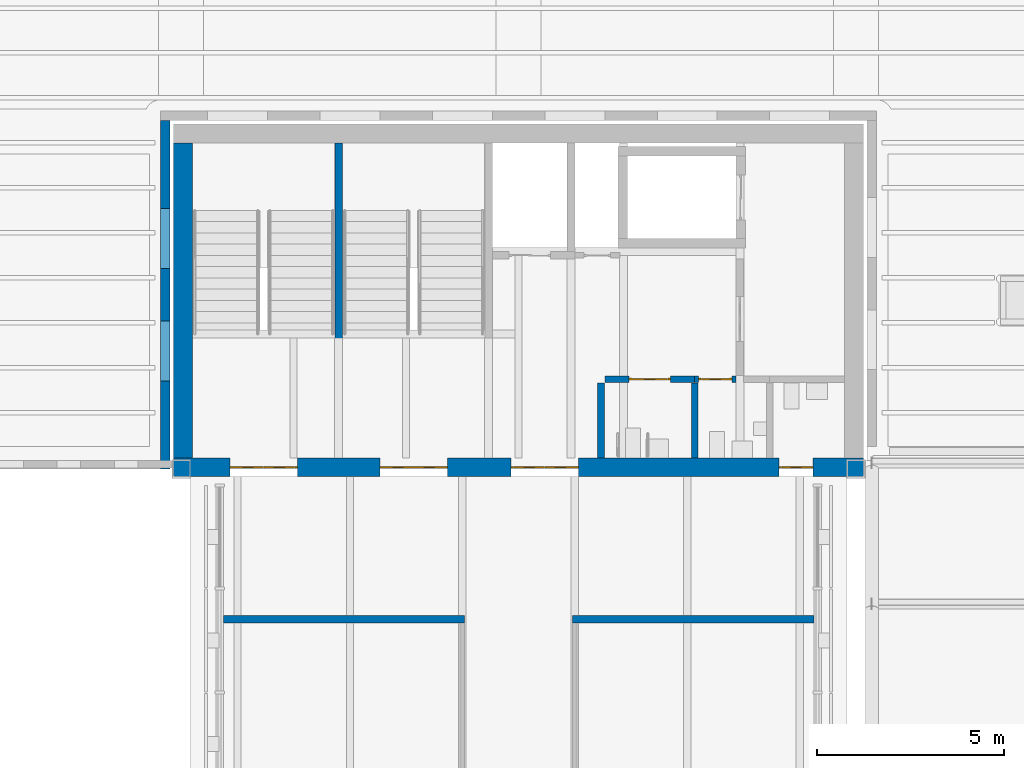
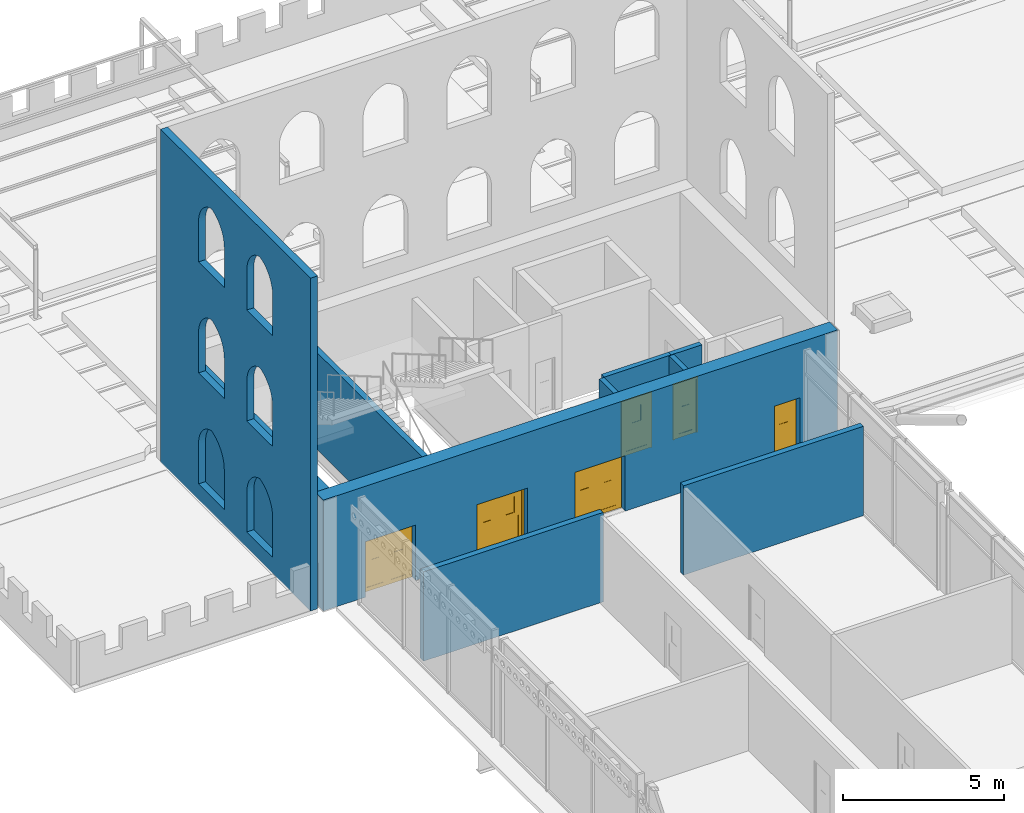
# One storey, part 109 of 153: 10 walls, 6 doors, 6 openings.
"""IFC4 building model written with IfcOpenShell, lengths in metres."""

import ifcopenshell
import ifcopenshell.guid

model = None  # the IFC model being written
_history = None  # IfcOwnerHistory: only IFC2X3 demands one
_inside = {}  # id of a spatial element -> (the spatial element, [elements in it])
_under = {}  # id of a project, library or spatial element -> (it, [spatial elements below it])
_declared = {}  # id of a project -> (the project, [libraries it declares])
_typed = {}  # id of a type object -> (the type object, [elements of that type])
_made_of = {}  # id of a material, layer set ... -> (it, [elements and type objects made of it])


def new_model(schema):
    """Start an empty IFC model of exactly this schema.

    Asked for "IFC4X3", IfcOpenShell would pick the latest addendum, in which some entities
    have other attributes; the version numbers below select the first issue.
    IFC2X3 requires an IfcOwnerHistory on every rooted entity: one is made here for all.
    """
    global model, _history
    if schema == "IFC4X3":
        model = ifcopenshell.file(schema_version=(4, 3, 0, 0))
    else:
        model = ifcopenshell.file(schema=schema)
    _inside.clear()
    _under.clear()
    _declared.clear()
    _typed.clear()
    _made_of.clear()
    _history = None
    if model.schema == "IFC2X3":
        org = make("IfcOrganization", Name="unknown")
        user = make(
            "IfcPersonAndOrganization",
            ThePerson=make("IfcPerson", FamilyName="unknown"),
            TheOrganization=org,
        )
        app = make(
            "IfcApplication",
            ApplicationDeveloper=org,
            Version="unknown",
            ApplicationFullName="unknown",
            ApplicationIdentifier="unknown",
        )
        _history = make(
            "IfcOwnerHistory",
            OwningUser=user,
            OwningApplication=app,
            ChangeAction="ADDED",
            CreationDate=0,
        )
    return model


def make(cls, **values):
    """One entity of the class cls with the attributes given. An attribute that is None is left unset."""
    return model.create_entity(
        cls, **{name: value for name, value in values.items() if value is not None}
    )


def rooted(cls, **values):
    """An entity with a GlobalId (a new one), such as an element, a storey or a relation."""
    return make(cls, GlobalId=ifcopenshell.guid.new(), OwnerHistory=_history, **values)


def si_unit(unit_type, name, prefix=None):
    """IfcSIUnit, for example si_unit("LENGTHUNIT", "METRE", prefix="MILLI")."""
    return make("IfcSIUnit", UnitType=unit_type, Prefix=prefix, Name=name)


def assignment(units):
    """IfcUnitAssignment: the units of a project."""
    return None if units is None else make("IfcUnitAssignment", Units=units)


def point(xyz):
    """IfcCartesianPoint."""
    return None if xyz is None else make("IfcCartesianPoint", Coordinates=xyz)


def direction(xyz):
    """IfcDirection."""
    return None if xyz is None else make("IfcDirection", DirectionRatios=xyz)


def frame(location, z_axis=None, x_axis=None):
    """IfcAxis2Placement3D, a coordinate frame: its origin and axes. An axis left out is left unset."""
    return make(
        "IfcAxis2Placement3D",
        Location=point(location),
        Axis=direction(z_axis),
        RefDirection=direction(x_axis),
    )


def frame_2d(location, x_axis=None):
    """IfcAxis2Placement2D, a coordinate frame in the plane: its origin and x axis."""
    return make(
        "IfcAxis2Placement2D", Location=point(location), RefDirection=direction(x_axis)
    )


def origin():
    """The frame at (0, 0, 0) with its axes left unset."""
    return frame((0.0, 0.0, 0.0))


def place(relative_to, where):
    """IfcLocalPlacement: puts the frame where relative to a parent placement (None: the world)."""
    return make(
        "IfcLocalPlacement", PlacementRelTo=relative_to, RelativePlacement=where
    )


def context(
    kind, dimensions, precision=None, world=None, true_north=None, identifier=None
):
    """IfcGeometricRepresentationContext, for example the 3D "Model" context."""
    return make(
        "IfcGeometricRepresentationContext",
        ContextIdentifier=identifier,
        ContextType=kind,
        CoordinateSpaceDimension=dimensions,
        Precision=precision,
        WorldCoordinateSystem=world,
        TrueNorth=true_north,
    )


def subcontext(parent, identifier, kind, view, scale=None):
    """IfcGeometricRepresentationSubContext, for example "Body" below "Model"."""
    return make(
        "IfcGeometricRepresentationSubContext",
        ContextIdentifier=identifier,
        ContextType=kind,
        ParentContext=parent,
        TargetScale=scale,
        TargetView=view,
    )


def project(units=None, contexts=None):
    """IfcProject with its units and contexts."""
    return rooted(
        "IfcProject",
        Name="project",
        RepresentationContexts=contexts,
        UnitsInContext=assignment(units),
    )


def spatial(cls, under=None, at=None, **own):
    """A site, building, storey or space (cls), placed at a placement, below another one or the project."""
    s = rooted(cls, ObjectPlacement=at, **own)
    if under is not None:
        _under.setdefault(under.id(), (under, []))[1].append(s)
    return s


def polyline(points):
    """IfcPolyline through the points."""
    return make("IfcPolyline", Points=[point(p) for p in points])


def profile(cls, at=None, kind="AREA", **sizes):
    """A parametric profile (cls). Its sizes go by their IFC names, for example OverallWidth=200.0."""
    return make(cls, ProfileType=kind, Position=at, **sizes)


def rectangle(**sizes):
    """IfcRectangleProfileDef."""
    return profile("IfcRectangleProfileDef", **sizes)


def outline(outer, holes=None, kind="AREA"):
    """IfcArbitraryClosedProfileDef: a profile drawn as a closed curve; with holes, ...WithVoids."""
    if holes is None:
        return make("IfcArbitraryClosedProfileDef", ProfileType=kind, OuterCurve=outer)
    return make(
        "IfcArbitraryProfileDefWithVoids",
        ProfileType=kind,
        OuterCurve=outer,
        InnerCurves=holes,
    )


def extrude(swept, where, along, depth):
    """IfcExtrudedAreaSolid: the profile swept, set in the frame where, extruded along a direction by depth."""
    return make(
        "IfcExtrudedAreaSolid",
        SweptArea=swept,
        Position=where,
        ExtrudedDirection=direction(along),
        Depth=depth,
    )


def shape(context_of_items, identifier, shape_type, items):
    """IfcShapeRepresentation: the items that make up one representation, for example the "Body"."""
    return make(
        "IfcShapeRepresentation",
        ContextOfItems=context_of_items,
        RepresentationIdentifier=identifier,
        RepresentationType=shape_type,
        Items=items,
    )


def material(Name=None, Category=None):
    """IfcMaterial."""
    return make("IfcMaterial", Name=Name, Category=Category)


def layer(
    of_material, thickness, ventilated=None, Name=None, Category=None, Priority=None
):
    """IfcMaterialLayer: one layer of a wall or slab, of a material (None: an air gap)."""
    return make(
        "IfcMaterialLayer",
        Material=of_material,
        LayerThickness=thickness,
        IsVentilated=ventilated,
        Name=Name,
        Category=Category,
        Priority=Priority,
    )


def layer_set(layers, Name=None):
    """IfcMaterialLayerSet."""
    return make("IfcMaterialLayerSet", MaterialLayers=layers, LayerSetName=Name)


def made_of(thing, what):
    """Note that an element or type object is made of a material, layer set ...; save() writes the relation."""
    if what is not None:
        _made_of.setdefault(what.id(), (what, []))[1].append(thing)
    return thing


def type_object(cls, material=None, **own):
    """A type object (cls), such as IfcWallType, which elements share."""
    return made_of(rooted(cls, **own), material)


def element(
    cls,
    number,
    at=None,
    inside=None,
    cuts=None,
    type_object=None,
    material=None,
    context=None,
    identifier="Body",
    shape_type=None,
    held_by="IfcProductDefinitionShape",
    body=None,
    shapes=None,
    **own,
):
    """One element of the class cls, such as IfcWall. Its Tag is "e" and its number.

    at: its placement. inside: the storey or other place that contains it. cuts: it is an
    opening in that element (IfcRelVoidsElement). A single representation is given by context,
    identifier, shape_type and body (its items); several are given by shapes. held_by: the class
    of the entity that holds the representations. save() writes the other relations.
    """
    e = rooted(cls, Tag="e%d" % number, ObjectPlacement=at, **own)
    if body is not None:
        shapes = [shape(context, identifier, shape_type, body)]
    if shapes is not None:
        e.Representation = make(held_by, Representations=shapes)
    if inside is not None:
        _inside.setdefault(inside.id(), (inside, []))[1].append(e)
    if cuts is not None:
        rooted(
            "IfcRelVoidsElement", RelatingBuildingElement=cuts, RelatedOpeningElement=e
        )
    if type_object is not None:
        _typed.setdefault(type_object.id(), (type_object, []))[1].append(e)
    return made_of(e, material)


def fill(opening, filler):
    """IfcRelFillsElement: the door or window that sits in an opening."""
    return rooted(
        "IfcRelFillsElement",
        RelatingOpeningElement=opening,
        RelatedBuildingElement=filler,
    )


def aggregate(whole, parts):
    """IfcRelAggregates: a whole, such as a stair, and the parts it consists of."""
    return rooted("IfcRelAggregates", RelatingObject=whole, RelatedObjects=parts)


def save(model, path):
    """Write the relations noted so far, then the file.

    IfcRelAggregates (storeys below a building ...), IfcRelContainedInSpatialStructure (elements
    in a storey), IfcRelDefinesByType, IfcRelAssociatesMaterial and IfcRelDeclares: one each for
    every whole, place, type object, material and project.
    """
    for whole, parts in _under.values():
        aggregate(whole, parts)
    for where, things in _inside.values():
        rooted(
            "IfcRelContainedInSpatialStructure",
            RelatedElements=things,
            RelatingStructure=where,
        )
    for kind, things in _typed.values():
        rooted("IfcRelDefinesByType", RelatedObjects=things, RelatingType=kind)
    for what, things in _made_of.values():
        rooted("IfcRelAssociatesMaterial", RelatedObjects=things, RelatingMaterial=what)
    for by, libraries in _declared.values():
        rooted("IfcRelDeclares", RelatingContext=by, RelatedDefinitions=libraries)
    model.write(path)


model = new_model("IFC4")

# Units and contexts
model_context = context("Model", 3, precision=1e-05, world=origin(), true_north=direction((0.0, 1.0)))
body_context = subcontext(model_context, "Body", "Model", "MODEL_VIEW")
ifc_project = project(units=[si_unit("LENGTHUNIT", "METRE"), si_unit("AREAUNIT", "SQUARE_METRE"), si_unit("VOLUMEUNIT", "CUBIC_METRE"), si_unit("PLANEANGLEUNIT", "RADIAN"), si_unit("MASSUNIT", "GRAM", prefix="KILO")], contexts=[model_context])

# Site, building, storey
site_placement = place(None, origin())
site = spatial("IfcSite", under=ifc_project, at=site_placement, CompositionType="ELEMENT")
building_placement = place(site_placement, origin())
building = spatial("IfcBuilding", under=site, at=building_placement, Name="Baradari Gate Terminus", CompositionType="ELEMENT")
storey_placement = place(building_placement, frame((0.0, 0.0, 11.699951171875)))
storey = spatial("IfcBuildingStorey", under=building, at=storey_placement, Name="L02", CompositionType="ELEMENT", Elevation=11.699951171875)

# Wall, openings, doors
ifc_material_1 = material(Name="Concrete C40/50", Category="concrete")
ifc_layer_1 = layer(ifc_material_1, 0.5)
ifc_layer_set_1 = layer_set([ifc_layer_1], Name="Concrete C40/50")
wall_type_1 = type_object("IfcWallType", Name="Abutment core wall CWL05 500", PredefinedType="SOLIDWALL", material=ifc_layer_set_1)
wall_1_placement = place(storey_placement, frame((71.800048828125, 81.050048828125, 0.0), z_axis=(0.0, 0.0, 1.0), x_axis=(1.0, 0.0, 0.0)))
wall_1 = element("IfcWall", 1, at=wall_1_placement, inside=storey, type_object=wall_type_1, Name="Abutment core wall GN S L02", PredefinedType="SOLIDWALL", context=body_context, shape_type="SweptSolid", body=[
    extrude(rectangle(XDim=18.39990234375, YDim=0.5, at=frame_2d((9.199951171875, 0.0))), origin(), (0.0, 0.0, 1.0), 4.199951171875),
])
opening_1_placement = place(wall_1_placement, frame((1.5, 0.0, 0.0)))
opening_1 = element("IfcOpeningElement", 2, at=opening_1_placement, cuts=wall_1, Name="Opening D02-027", PredefinedType="OPENING", context=body_context, shape_type="SweptSolid", body=[
    extrude(rectangle(XDim=1.800048828125, YDim=2.10009765625, at=frame_2d((0.89990234375, 1.050048828125))), frame((0.0, 0.260009765625, 0.0), z_axis=(0.0, -1.0, 0.0), x_axis=(1.0, 0.0, 0.0)), (0.0, 0.0, 1.0), 0.52001953125),
])
opening_2_placement = place(wall_1_placement, frame((5.5, 0.0, 0.0)))
opening_2 = element("IfcOpeningElement", 3, at=opening_2_placement, cuts=wall_1, Name="Opening D02-028", PredefinedType="OPENING", context=body_context, shape_type="SweptSolid", body=[
    extrude(rectangle(XDim=1.800048828125, YDim=2.10009765625, at=frame_2d((0.89990234375, 1.050048828125))), frame((0.0, 0.260009765625, 0.0), z_axis=(0.0, -1.0, 0.0), x_axis=(1.0, 0.0, 0.0)), (0.0, 0.0, 1.0), 0.52001953125),
])
opening_3_placement = place(wall_1_placement, frame((9.0, 0.0, 0.0)))
opening_3 = element("IfcOpeningElement", 4, at=opening_3_placement, cuts=wall_1, Name="Opening D02-029", PredefinedType="OPENING", context=body_context, shape_type="SweptSolid", body=[
    extrude(rectangle(XDim=1.800048828125, YDim=2.10009765625, at=frame_2d((0.89990234375, 1.050048828125))), frame((0.0, 0.260009765625, 0.0), z_axis=(0.0, -1.0, 0.0), x_axis=(1.0, 0.0, 0.0)), (0.0, 0.0, 1.0), 0.52001953125),
])
opening_4_placement = place(wall_1_placement, frame((16.14990234375, 0.0, 0.0)))
opening_4 = element("IfcOpeningElement", 5, at=opening_4_placement, cuts=wall_1, Name="Opening D02-034", PredefinedType="OPENING", context=body_context, shape_type="SweptSolid", body=[
    extrude(rectangle(XDim=0.89990234375, YDim=2.10009765625, at=frame_2d((0.449951171875, 1.050048828125))), frame((0.0, 0.260009765625, 0.0), z_axis=(0.0, -1.0, 0.0), x_axis=(1.0, 0.0, 0.0)), (0.0, 0.0, 1.0), 0.52001953125),
])
ifc_material_2 = material(Name="Steel S275", Category="steel")
door_type_1 = type_object("IfcDoorType", Name="Fire door FI-1800-FD90S 1800x2100 FD90S", OperationType="DOUBLE_DOOR_SINGLE_SWING", PredefinedType="DOOR", material=ifc_material_2)
door_1_placement = place(opening_1_placement, origin())
door_1 = element("IfcDoor", 6, at=door_1_placement, inside=storey, type_object=door_type_1, Name="Door Stair (Gate North) 1", OperationType="DOUBLE_DOOR_SINGLE_SWING", OverallHeight=2.1, OverallWidth=1.8, PredefinedType="DOOR", context=body_context, shape_type="SweptSolid", body=[
    extrude(outline(polyline([(0.0, 0.0), (0.070068359375, 0.0), (0.070068359375, 2.030029296875), (1.72998046875, 2.030029296875), (1.72998046875, 0.0), (1.800048828125, 0.0), (1.800048828125, 2.10009765625), (0.0, 2.10009765625), (0.0, 0.0)])), frame((0.0, 0.02490234375, 0.0), z_axis=(0.0, -1.0, 0.0), x_axis=(1.0, 0.0, 0.0)), (0.0, 0.0, 1.0), 0.050048828125),
    extrude(outline(polyline([(0.073974609375, 0.010009765625), (0.89697265625, 0.010009765625), (0.89697265625, 2.026123046875), (0.073974609375, 2.026123046875), (0.073974609375, 0.010009765625)]), holes=[polyline([(0.194091796875, 0.159912109375), (0.77685546875, 0.159912109375), (0.77685546875, 1.010009765625), (0.194091796875, 1.010009765625), (0.194091796875, 0.159912109375)]), polyline([(0.33544921875, 1.159912109375), (0.635498046875, 1.159912109375), (0.635498046875, 1.760009765625), (0.33544921875, 1.760009765625), (0.33544921875, 1.159912109375)])]), frame((0.0, 0.017333984375, 0.0), z_axis=(0.0, -1.0, 0.0), x_axis=(1.0, 0.0, 0.0)), (0.0, 0.0, 1.0), 0.034912109375),
    extrude(rectangle(XDim=0.582763671875, YDim=0.85009765625, at=frame_2d((0.4853515625, 0.5849609375))), frame((0.0, 0.008544921875, 0.0), z_axis=(0.0, -1.0, 0.0), x_axis=(1.0, 0.0, 0.0)), (0.0, 0.0, 1.0), 0.017333984375),
    extrude(rectangle(XDim=0.300048828125, YDim=0.60009765625, at=frame_2d((0.4853515625, 1.4599609375))), frame((0.0, 0.005859375, 0.0), z_axis=(0.0, -1.0, 0.0), x_axis=(1.0, 0.0, 0.0)), (0.0, 0.0, 1.0), 0.011962890625),
    extrude(outline(polyline([(0.903076171875, 0.010009765625), (1.72607421875, 0.010009765625), (1.72607421875, 2.026123046875), (0.903076171875, 2.026123046875), (0.903076171875, 0.010009765625)]), holes=[polyline([(1.023193359375, 0.159912109375), (1.60595703125, 0.159912109375), (1.60595703125, 1.010009765625), (1.023193359375, 1.010009765625), (1.023193359375, 0.159912109375)]), polyline([(1.16455078125, 1.159912109375), (1.464599609375, 1.159912109375), (1.464599609375, 1.760009765625), (1.16455078125, 1.760009765625), (1.16455078125, 1.159912109375)])]), frame((0.0, 0.017333984375, 0.0), z_axis=(0.0, -1.0, 0.0), x_axis=(1.0, 0.0, 0.0)), (0.0, 0.0, 1.0), 0.034912109375),
    extrude(rectangle(XDim=0.582763671875, YDim=0.85009765625, at=frame_2d((1.314453125, 0.5849609375))), frame((0.0, 0.008544921875, 0.0), z_axis=(0.0, -1.0, 0.0), x_axis=(1.0, 0.0, 0.0)), (0.0, 0.0, 1.0), 0.017333984375),
    extrude(rectangle(XDim=0.300048828125, YDim=0.60009765625, at=frame_2d((1.314453125, 1.4599609375))), frame((0.0, 0.005859375, 0.0), z_axis=(0.0, -1.0, 0.0), x_axis=(1.0, 0.0, 0.0)), (0.0, 0.0, 1.0), 0.011962890625),
])
fill(opening_1, door_1)
door_2_placement = place(opening_2_placement, origin())
door_2 = element("IfcDoor", 7, at=door_2_placement, inside=storey, type_object=door_type_1, Name="Door Stair (Gate North) 2", OperationType="DOUBLE_DOOR_SINGLE_SWING", OverallHeight=2.1, OverallWidth=1.8, PredefinedType="DOOR", context=body_context, shape_type="SweptSolid", body=[
    extrude(outline(polyline([(0.0, 0.0), (0.070068359375, 0.0), (0.070068359375, 2.030029296875), (1.72998046875, 2.030029296875), (1.72998046875, 0.0), (1.800048828125, 0.0), (1.800048828125, 2.10009765625), (0.0, 2.10009765625), (0.0, 0.0)])), frame((0.0, 0.02490234375, 0.0), z_axis=(0.0, -1.0, 0.0), x_axis=(1.0, 0.0, 0.0)), (0.0, 0.0, 1.0), 0.050048828125),
    extrude(outline(polyline([(0.073974609375, 0.010009765625), (0.89697265625, 0.010009765625), (0.89697265625, 2.026123046875), (0.073974609375, 2.026123046875), (0.073974609375, 0.010009765625)]), holes=[polyline([(0.194091796875, 0.159912109375), (0.77685546875, 0.159912109375), (0.77685546875, 1.010009765625), (0.194091796875, 1.010009765625), (0.194091796875, 0.159912109375)]), polyline([(0.33544921875, 1.159912109375), (0.635498046875, 1.159912109375), (0.635498046875, 1.760009765625), (0.33544921875, 1.760009765625), (0.33544921875, 1.159912109375)])]), frame((0.0, 0.017333984375, 0.0), z_axis=(0.0, -1.0, 0.0), x_axis=(1.0, 0.0, 0.0)), (0.0, 0.0, 1.0), 0.034912109375),
    extrude(rectangle(XDim=0.582763671875, YDim=0.85009765625, at=frame_2d((0.4853515625, 0.5849609375))), frame((0.0, 0.008544921875, 0.0), z_axis=(0.0, -1.0, 0.0), x_axis=(1.0, 0.0, 0.0)), (0.0, 0.0, 1.0), 0.017333984375),
    extrude(rectangle(XDim=0.300048828125, YDim=0.60009765625, at=frame_2d((0.4853515625, 1.4599609375))), frame((0.0, 0.005859375, 0.0), z_axis=(0.0, -1.0, 0.0), x_axis=(1.0, 0.0, 0.0)), (0.0, 0.0, 1.0), 0.011962890625),
    extrude(outline(polyline([(0.903076171875, 0.010009765625), (1.72607421875, 0.010009765625), (1.72607421875, 2.026123046875), (0.903076171875, 2.026123046875), (0.903076171875, 0.010009765625)]), holes=[polyline([(1.023193359375, 0.159912109375), (1.60595703125, 0.159912109375), (1.60595703125, 1.010009765625), (1.023193359375, 1.010009765625), (1.023193359375, 0.159912109375)]), polyline([(1.16455078125, 1.159912109375), (1.464599609375, 1.159912109375), (1.464599609375, 1.760009765625), (1.16455078125, 1.760009765625), (1.16455078125, 1.159912109375)])]), frame((0.0, 0.017333984375, 0.0), z_axis=(0.0, -1.0, 0.0), x_axis=(1.0, 0.0, 0.0)), (0.0, 0.0, 1.0), 0.034912109375),
    extrude(rectangle(XDim=0.582763671875, YDim=0.85009765625, at=frame_2d((1.314453125, 0.5849609375))), frame((0.0, 0.008544921875, 0.0), z_axis=(0.0, -1.0, 0.0), x_axis=(1.0, 0.0, 0.0)), (0.0, 0.0, 1.0), 0.017333984375),
    extrude(rectangle(XDim=0.300048828125, YDim=0.60009765625, at=frame_2d((1.314453125, 1.4599609375))), frame((0.0, 0.005859375, 0.0), z_axis=(0.0, -1.0, 0.0), x_axis=(1.0, 0.0, 0.0)), (0.0, 0.0, 1.0), 0.011962890625),
])
fill(opening_2, door_2)
door_3_placement = place(opening_3_placement, origin())
door_3 = element("IfcDoor", 8, at=door_3_placement, inside=storey, type_object=door_type_1, Name="Door Lift Lobby", OperationType="DOUBLE_DOOR_SINGLE_SWING", OverallHeight=2.1, OverallWidth=1.8, PredefinedType="DOOR", context=body_context, shape_type="SweptSolid", body=[
    extrude(outline(polyline([(0.0, 0.0), (0.070068359375, 0.0), (0.070068359375, 2.030029296875), (1.72998046875, 2.030029296875), (1.72998046875, 0.0), (1.800048828125, 0.0), (1.800048828125, 2.10009765625), (0.0, 2.10009765625), (0.0, 0.0)])), frame((0.0, 0.02490234375, 0.0), z_axis=(0.0, -1.0, 0.0), x_axis=(1.0, 0.0, 0.0)), (0.0, 0.0, 1.0), 0.050048828125),
    extrude(outline(polyline([(0.073974609375, 0.010009765625), (0.89697265625, 0.010009765625), (0.89697265625, 2.026123046875), (0.073974609375, 2.026123046875), (0.073974609375, 0.010009765625)]), holes=[polyline([(0.194091796875, 0.159912109375), (0.77685546875, 0.159912109375), (0.77685546875, 1.010009765625), (0.194091796875, 1.010009765625), (0.194091796875, 0.159912109375)]), polyline([(0.33544921875, 1.159912109375), (0.635498046875, 1.159912109375), (0.635498046875, 1.760009765625), (0.33544921875, 1.760009765625), (0.33544921875, 1.159912109375)])]), frame((0.0, 0.017333984375, 0.0), z_axis=(0.0, -1.0, 0.0), x_axis=(1.0, 0.0, 0.0)), (0.0, 0.0, 1.0), 0.034912109375),
    extrude(rectangle(XDim=0.582763671875, YDim=0.85009765625, at=frame_2d((0.4853515625, 0.5849609375))), frame((0.0, 0.008544921875, 0.0), z_axis=(0.0, -1.0, 0.0), x_axis=(1.0, 0.0, 0.0)), (0.0, 0.0, 1.0), 0.017333984375),
    extrude(rectangle(XDim=0.300048828125, YDim=0.60009765625, at=frame_2d((0.4853515625, 1.4599609375))), frame((0.0, 0.005859375, 0.0), z_axis=(0.0, -1.0, 0.0), x_axis=(1.0, 0.0, 0.0)), (0.0, 0.0, 1.0), 0.011962890625),
    extrude(outline(polyline([(0.903076171875, 0.010009765625), (1.72607421875, 0.010009765625), (1.72607421875, 2.026123046875), (0.903076171875, 2.026123046875), (0.903076171875, 0.010009765625)]), holes=[polyline([(1.023193359375, 0.159912109375), (1.60595703125, 0.159912109375), (1.60595703125, 1.010009765625), (1.023193359375, 1.010009765625), (1.023193359375, 0.159912109375)]), polyline([(1.16455078125, 1.159912109375), (1.464599609375, 1.159912109375), (1.464599609375, 1.760009765625), (1.16455078125, 1.760009765625), (1.16455078125, 1.159912109375)])]), frame((0.0, 0.017333984375, 0.0), z_axis=(0.0, -1.0, 0.0), x_axis=(1.0, 0.0, 0.0)), (0.0, 0.0, 1.0), 0.034912109375),
    extrude(rectangle(XDim=0.582763671875, YDim=0.85009765625, at=frame_2d((1.314453125, 0.5849609375))), frame((0.0, 0.008544921875, 0.0), z_axis=(0.0, -1.0, 0.0), x_axis=(1.0, 0.0, 0.0)), (0.0, 0.0, 1.0), 0.017333984375),
    extrude(rectangle(XDim=0.300048828125, YDim=0.60009765625, at=frame_2d((1.314453125, 1.4599609375))), frame((0.0, 0.005859375, 0.0), z_axis=(0.0, -1.0, 0.0), x_axis=(1.0, 0.0, 0.0)), (0.0, 0.0, 1.0), 0.011962890625),
])
fill(opening_3, door_3)
ifc_material_3 = material(Name="Steel S275", Category="steel")
door_type_2 = type_object("IfcDoorType", Name="Fire door FI-900-FD90S 900x2100 FD90S", OperationType="SINGLE_SWING_LEFT", PredefinedType="DOOR", material=ifc_material_3)
door_4_placement = place(opening_4_placement, origin())
door_4 = element("IfcDoor", 9, at=door_4_placement, inside=storey, type_object=door_type_2, Name="Door Female WC", OperationType="SINGLE_SWING_LEFT", OverallHeight=2.1, OverallWidth=0.9, PredefinedType="DOOR", context=body_context, shape_type="SweptSolid", body=[
    extrude(outline(polyline([(0.0, 0.0), (0.070068359375, 0.0), (0.070068359375, 2.030029296875), (0.829833984375, 2.030029296875), (0.829833984375, 0.0), (0.89990234375, 0.0), (0.89990234375, 2.10009765625), (0.0, 2.10009765625), (0.0, 0.0)])), frame((0.0, 0.02490234375, 0.0), z_axis=(0.0, -1.0, 0.0), x_axis=(1.0, 0.0, 0.0)), (0.0, 0.0, 1.0), 0.050048828125),
    extrude(outline(polyline([(0.073974609375, 0.010009765625), (0.825927734375, 0.010009765625), (0.825927734375, 2.026123046875), (0.073974609375, 2.026123046875), (0.073974609375, 0.010009765625)]), holes=[polyline([(0.194091796875, 0.159912109375), (0.705810546875, 0.159912109375), (0.705810546875, 1.010009765625), (0.194091796875, 1.010009765625), (0.194091796875, 0.159912109375)]), polyline([(0.300048828125, 1.159912109375), (0.599853515625, 1.159912109375), (0.599853515625, 1.760009765625), (0.300048828125, 1.760009765625), (0.300048828125, 1.159912109375)])]), frame((0.0, 0.017333984375, 0.0), z_axis=(0.0, -1.0, 0.0), x_axis=(1.0, 0.0, 0.0)), (0.0, 0.0, 1.0), 0.034912109375),
    extrude(rectangle(XDim=0.51171875, YDim=0.85009765625, at=frame_2d((0.449951171875, 0.5849609375))), frame((0.0, 0.008544921875, 0.0), z_axis=(0.0, -1.0, 0.0), x_axis=(1.0, 0.0, 0.0)), (0.0, 0.0, 1.0), 0.017333984375),
    extrude(rectangle(XDim=0.2998046875, YDim=0.60009765625, at=frame_2d((0.449951171875, 1.4599609375))), frame((0.0, 0.005859375, 0.0), z_axis=(0.0, -1.0, 0.0), x_axis=(1.0, 0.0, 0.0)), (0.0, 0.0, 1.0), 0.011962890625),
])
fill(opening_4, door_4)

# Walls
wall_2_placement = place(storey_placement, frame((72.050048828125, 81.300048828125, 0.0), z_axis=(0.0, 0.0, 1.0), x_axis=(0.0, 1.0, 0.0)))
element("IfcWall", 10, at=wall_2_placement, inside=storey, type_object=wall_type_1, Name="Abutment core wall GN W L02", PredefinedType="SOLIDWALL", context=body_context, shape_type="SweptSolid", body=[
    extrude(rectangle(XDim=8.39990234375, YDim=0.5, at=frame_2d((4.199951171875, 0.0))), origin(), (0.0, 0.0, 1.0), 4.199951171875),
])
ifc_material_4 = material(Name="Laterite masonry", Category="masonry")
ifc_layer_2 = layer(ifc_material_4, 0.25)
ifc_layer_set_2 = layer_set([ifc_layer_2], Name="Laterite masonry")
wall_type_2 = type_object("IfcWallType", Name="Laterite masonry wall WP-1 250", PredefinedType="SOLIDWALL", material=ifc_layer_set_2)
wall_3_placement = place(storey_placement, frame((71.574951171875, 81.0, 0.0), z_axis=(0.0, 0.0, 1.0), x_axis=(0.0, 1.0, 0.0)))
element("IfcWall", 11, at=wall_3_placement, inside=storey, type_object=wall_type_2, Name="Core front course GN west face 1", PredefinedType="SOLIDWALL", context=body_context, shape_type="SweptSolid", body=[
    extrude(outline(polyline([(0.0, 0.0), (9.300048828125, 0.0), (9.300048828125, 12.60009765625), (0.0, 12.60009765625), (0.0, 0.0)]), holes=[polyline([(2.3564453125, 2.215087890625), (2.375732421875, 2.32861328125), (2.40771484375, 2.439453125), (2.451904296875, 2.545654296875), (2.5078125, 2.646484375), (2.57470703125, 2.740234375), (2.651611328125, 2.826171875), (2.737548828125, 2.90283203125), (2.831787109375, 2.96923828125), (2.9326171875, 3.024658203125), (3.039306640625, 3.068359375), (3.14990234375, 3.10009765625), (3.2607421875, 3.068359375), (3.367431640625, 3.024658203125), (3.46826171875, 2.96923828125), (3.5625, 2.90283203125), (3.6484375, 2.826171875), (3.725341796875, 2.740234375), (3.792236328125, 2.646484375), (3.847900390625, 2.545654296875), (3.89208984375, 2.439453125), (3.92431640625, 2.32861328125), (3.943603515625, 2.215087890625), (3.949951171875, 2.10009765625), (3.949951171875, 0.60009765625), (2.35009765625, 0.60009765625), (2.35009765625, 2.10009765625), (2.3564453125, 2.215087890625)]), polyline([(5.375732421875, 2.32861328125), (5.40771484375, 2.439453125), (5.451904296875, 2.545654296875), (5.5078125, 2.646484375), (5.57470703125, 2.740234375), (5.651611328125, 2.826171875), (5.737548828125, 2.90283203125), (5.831787109375, 2.96923828125), (5.9326171875, 3.024658203125), (6.039306640625, 3.068359375), (6.14990234375, 3.10009765625), (6.2607421875, 3.068359375), (6.367431640625, 3.024658203125), (6.46826171875, 2.96923828125), (6.5625, 2.90283203125), (6.6484375, 2.826171875), (6.725341796875, 2.740234375), (6.792236328125, 2.646484375), (6.847900390625, 2.545654296875), (6.89208984375, 2.439453125), (6.92431640625, 2.32861328125), (6.943603515625, 2.215087890625), (6.949951171875, 2.10009765625), (6.949951171875, 0.60009765625), (5.35009765625, 0.60009765625), (5.35009765625, 2.10009765625), (5.3564453125, 2.215087890625), (5.375732421875, 2.32861328125)]), polyline([(2.375732421875, 6.528564453125), (2.40771484375, 6.639404296875), (2.451904296875, 6.745849609375), (2.5078125, 6.846435546875), (2.57470703125, 6.9404296875), (2.651611328125, 7.026123046875), (2.737548828125, 7.102783203125), (2.831787109375, 7.169189453125), (2.9326171875, 7.224609375), (3.039306640625, 7.2685546875), (3.14990234375, 7.300048828125), (3.2607421875, 7.2685546875), (3.367431640625, 7.224609375), (3.46826171875, 7.169189453125), (3.5625, 7.102783203125), (3.6484375, 7.026123046875), (3.725341796875, 6.9404296875), (3.792236328125, 6.846435546875), (3.847900390625, 6.745849609375), (3.89208984375, 6.639404296875), (3.92431640625, 6.528564453125), (3.943603515625, 6.4150390625), (3.949951171875, 6.300048828125), (3.949951171875, 4.800048828125), (2.35009765625, 4.800048828125), (2.35009765625, 6.300048828125), (2.3564453125, 6.4150390625), (2.375732421875, 6.528564453125)]), polyline([(5.3564453125, 6.4150390625), (5.375732421875, 6.528564453125), (5.40771484375, 6.639404296875), (5.451904296875, 6.745849609375), (5.5078125, 6.846435546875), (5.57470703125, 6.9404296875), (5.651611328125, 7.026123046875), (5.737548828125, 7.102783203125), (5.831787109375, 7.169189453125), (5.9326171875, 7.224609375), (6.039306640625, 7.2685546875), (6.14990234375, 7.300048828125), (6.2607421875, 7.2685546875), (6.367431640625, 7.224609375), (6.46826171875, 7.169189453125), (6.5625, 7.102783203125), (6.6484375, 7.026123046875), (6.725341796875, 6.9404296875), (6.792236328125, 6.846435546875), (6.847900390625, 6.745849609375), (6.89208984375, 6.639404296875), (6.92431640625, 6.528564453125), (6.943603515625, 6.4150390625), (6.949951171875, 6.300048828125), (6.949951171875, 4.800048828125), (5.35009765625, 4.800048828125), (5.35009765625, 6.300048828125), (5.3564453125, 6.4150390625)]), polyline([(2.375732421875, 10.728759765625), (2.40771484375, 10.83935546875), (2.451904296875, 10.94580078125), (2.5078125, 11.04638671875), (2.57470703125, 11.140380859375), (2.651611328125, 11.22607421875), (2.737548828125, 11.302734375), (2.831787109375, 11.369140625), (2.9326171875, 11.424560546875), (3.039306640625, 11.468505859375), (3.14990234375, 11.5), (3.2607421875, 11.468505859375), (3.367431640625, 11.424560546875), (3.46826171875, 11.369140625), (3.5625, 11.302734375), (3.6484375, 11.22607421875), (3.725341796875, 11.140380859375), (3.792236328125, 11.04638671875), (3.847900390625, 10.94580078125), (3.89208984375, 10.83935546875), (3.92431640625, 10.728759765625), (3.943603515625, 10.614990234375), (3.949951171875, 10.5), (3.949951171875, 9.0), (2.35009765625, 9.0), (2.35009765625, 10.5), (2.3564453125, 10.614990234375), (2.375732421875, 10.728759765625)]), polyline([(5.375732421875, 10.728759765625), (5.40771484375, 10.83935546875), (5.451904296875, 10.94580078125), (5.5078125, 11.04638671875), (5.57470703125, 11.140380859375), (5.651611328125, 11.22607421875), (5.737548828125, 11.302734375), (5.831787109375, 11.369140625), (5.9326171875, 11.424560546875), (6.039306640625, 11.468505859375), (6.14990234375, 11.5), (6.2607421875, 11.468505859375), (6.367431640625, 11.424560546875), (6.46826171875, 11.369140625), (6.5625, 11.302734375), (6.6484375, 11.22607421875), (6.725341796875, 11.140380859375), (6.792236328125, 11.04638671875), (6.847900390625, 10.94580078125), (6.89208984375, 10.83935546875), (6.92431640625, 10.728759765625), (6.943603515625, 10.614990234375), (6.949951171875, 10.5), (6.949951171875, 9.0), (5.35009765625, 9.0), (5.35009765625, 10.5), (5.3564453125, 10.614990234375), (5.375732421875, 10.728759765625)])]), frame((0.0, 0.125, 0.0), z_axis=(0.0, -1.0, 0.0), x_axis=(1.0, 0.0, 0.0)), (0.0, 0.0, 1.0), 0.25),
])
ifc_material_5 = material(Name="Blockwork wall, plastered, fire rated", Category="masonry")
ifc_layer_3 = layer(ifc_material_5, 0.199951171875)
ifc_layer_set_3 = layer_set([ifc_layer_3], Name="Blockwork wall, plastered, fire rated")
wall_type_3 = type_object("IfcWallType", Name="Lobby partition PT-4 200 EI 60", PredefinedType="PARTITIONING", material=ifc_layer_set_3)
for number, where, z_axis, x_axis, name in (
    (12, (79.5625, 77.0, 0.0), (0.0, 0.0, 1.0), (-1.0, 0.0, 0.0), "PT-4 partition Lobby (Gate North) / Gate Office 2.04"),
    (13, (88.875, 77.0, 0.0), (0.0, 0.0, 1.0), (-1.0, 0.0, 0.0), "PT-4 partition Lobby (Gate North) / Gate Office 2.08"),
):
    element("IfcWall", number, at=place(storey_placement, frame(where, z_axis=z_axis, x_axis=x_axis)), inside=storey, type_object=wall_type_3, Name=name, PredefinedType="PARTITIONING", context=body_context, shape_type="SweptSolid", body=[
        extrude(rectangle(XDim=6.4375, YDim=0.199951171875, at=frame_2d((3.21875, 0.0))), origin(), (0.0, 0.0, 1.0), 3.382080078125),
    ])
ifc_material_6 = material(Name="Concrete C40/50", Category="concrete")
ifc_layer_4 = layer(ifc_material_6, 0.199951171875)
ifc_layer_set_4 = layer_set([ifc_layer_4], Name="Concrete C40/50")
wall_type_4 = type_object("IfcWallType", Name="Stair enclosure wall SE-4 200 EI 120", PredefinedType="SOLIDWALL", material=ifc_layer_set_4)
wall_4_placement = place(storey_placement, frame((76.199951171875, 81.302001953125, -0.14990234375), z_axis=(0.0, 0.0, 1.0), x_axis=(0.0, 1.0, 0.0)))
element("IfcWall", 14, at=wall_4_placement, inside=storey, type_object=wall_type_4, Name="Stair enclosure wall SE-4 ST-GN1 L02 E", PredefinedType="SOLIDWALL", context=body_context, shape_type="SweptSolid", body=[
    extrude(rectangle(XDim=8.39599609375, YDim=0.199951171875, at=frame_2d((4.197998046875, 0.0))), origin(), (0.0, 0.0, 1.0), 3.666015625),
])

# Wall, opening, door
ifc_material_7 = material(Name="Blockwork wall, tiled both faces", Category="masonry")
ifc_layer_5 = layer(ifc_material_7, 0.175048828125)
ifc_layer_set_5 = layer_set([ifc_layer_5], Name="Blockwork wall, tiled both faces")
wall_type_5 = type_object("IfcWallType", Name="WC wet wall PT-6 175 EI 60", PredefinedType="PARTITIONING", material=ifc_layer_set_5)
wall_5_placement = place(storey_placement, frame((85.699951171875, 83.39990234375, 0.0), z_axis=(0.0, 0.0, 1.0), x_axis=(-1.0, 0.0, 0.0)))
wall_5 = element("IfcWall", 15, at=wall_5_placement, inside=storey, type_object=wall_type_5, Name="PT-6 partition Lift Lobby / Accessible WC", PredefinedType="PARTITIONING", context=body_context, shape_type="SweptSolid", body=[
    extrude(rectangle(XDim=2.39990234375, YDim=0.175048828125, at=frame_2d((1.199951171875, 0.0))), origin(), (0.0, 0.0, 1.0), 3.30712890625),
])
opening_5_placement = place(wall_5_placement, frame((0.64990234375, 0.0, 0.0)))
opening_5 = element("IfcOpeningElement", 16, at=opening_5_placement, cuts=wall_5, Name="Opening D02-032", PredefinedType="OPENING", context=body_context, shape_type="SweptSolid", body=[
    extrude(rectangle(XDim=1.10009765625, YDim=2.10009765625, at=frame_2d((0.550048828125, 1.050048828125))), frame((0.0, 0.097412109375, 0.0), z_axis=(0.0, -1.0, 0.0), x_axis=(1.0, 0.0, 0.0)), (0.0, 0.0, 1.0), 0.195068359375),
])
ifc_material_8 = material(Name="Steel S275", Category="steel")
door_type_3 = type_object("IfcDoorType", Name="Fire door FI-1100-FD60S 1100x2100 FD60S", OperationType="SINGLE_SWING_LEFT", PredefinedType="DOOR", material=ifc_material_8)
door_5_placement = place(opening_5_placement, origin())
door_5 = element("IfcDoor", 17, at=door_5_placement, inside=storey, type_object=door_type_3, Name="Door Accessible WC", OperationType="SINGLE_SWING_LEFT", OverallHeight=2.1, OverallWidth=1.1, PredefinedType="DOOR", context=body_context, shape_type="SweptSolid", body=[
    extrude(outline(polyline([(0.0, 0.0), (0.070068359375, 0.0), (0.070068359375, 2.030029296875), (1.030029296875, 2.030029296875), (1.030029296875, 0.0), (1.10009765625, 0.0), (1.10009765625, 2.10009765625), (0.0, 2.10009765625), (0.0, 0.0)])), frame((0.0, 0.02490234375, 0.0), z_axis=(0.0, -1.0, 0.0), x_axis=(1.0, 0.0, 0.0)), (0.0, 0.0, 1.0), 0.050048828125),
    extrude(outline(polyline([(0.073974609375, 0.010009765625), (1.026123046875, 0.010009765625), (1.026123046875, 2.026123046875), (0.073974609375, 2.026123046875), (0.073974609375, 0.010009765625)]), holes=[polyline([(0.194091796875, 0.159912109375), (0.906005859375, 0.159912109375), (0.906005859375, 1.010009765625), (0.194091796875, 1.010009765625), (0.194091796875, 0.159912109375)]), polyline([(0.400146484375, 1.159912109375), (0.699951171875, 1.159912109375), (0.699951171875, 1.760009765625), (0.400146484375, 1.760009765625), (0.400146484375, 1.159912109375)])]), frame((0.0, 0.017333984375, 0.0), z_axis=(0.0, -1.0, 0.0), x_axis=(1.0, 0.0, 0.0)), (0.0, 0.0, 1.0), 0.034912109375),
    extrude(rectangle(XDim=0.7119140625, YDim=0.85009765625, at=frame_2d((0.550048828125, 0.5849609375))), frame((0.0, 0.008544921875, 0.0), z_axis=(0.0, -1.0, 0.0), x_axis=(1.0, 0.0, 0.0)), (0.0, 0.0, 1.0), 0.017333984375),
    extrude(rectangle(XDim=0.2998046875, YDim=0.60009765625, at=frame_2d((0.550048828125, 1.4599609375))), frame((0.0, 0.005859375, 0.0), z_axis=(0.0, -1.0, 0.0), x_axis=(1.0, 0.0, 0.0)), (0.0, 0.0, 1.0), 0.011962890625),
])
fill(opening_5, door_5)

# Wall
wall_6_placement = place(storey_placement, frame((83.199951171875, 83.300048828125, 0.0), z_axis=(0.0, 0.0, 1.0), x_axis=(0.0, -1.0, 0.0)))
element("IfcWall", 18, at=wall_6_placement, inside=storey, type_object=wall_type_5, Name="PT-6 partition Lift Lobby / Accessible WC", PredefinedType="PARTITIONING", context=body_context, shape_type="SweptSolid", body=[
    extrude(rectangle(XDim=1.998046875, YDim=0.175048828125, at=frame_2d((0.9990234375, 0.0))), origin(), (0.0, 0.0, 1.0), 3.30712890625),
])

# Wall, opening, door
wall_7_placement = place(storey_placement, frame((86.800048828125, 83.39990234375, 0.0), z_axis=(0.0, 0.0, 1.0), x_axis=(-1.0, 0.0, 0.0)))
wall_7 = element("IfcWall", 19, at=wall_7_placement, inside=storey, type_object=wall_type_5, Name="PT-6 partition Lift Lobby / Male WC", PredefinedType="PARTITIONING", context=body_context, shape_type="SweptSolid", body=[
    extrude(rectangle(XDim=1.10009765625, YDim=0.175048828125, at=frame_2d((0.550048828125, 0.0))), origin(), (0.0, 0.0, 1.0), 3.30712890625),
])
opening_6_placement = place(wall_7_placement, frame((0.10009765625, 0.0, 0.0)))
opening_6 = element("IfcOpeningElement", 20, at=opening_6_placement, cuts=wall_7, Name="Opening D02-033", PredefinedType="OPENING", context=body_context, shape_type="SweptSolid", body=[
    extrude(rectangle(XDim=0.89990234375, YDim=2.10009765625, at=frame_2d((0.449951171875, 1.050048828125))), frame((0.0, 0.097412109375, 0.0), z_axis=(0.0, -1.0, 0.0), x_axis=(1.0, 0.0, 0.0)), (0.0, 0.0, 1.0), 0.195068359375),
])
ifc_material_9 = material(Name="Steel S275", Category="steel")
door_type_4 = type_object("IfcDoorType", Name="Fire door FI-900-FD60S 900x2100 FD60S", OperationType="SINGLE_SWING_LEFT", PredefinedType="DOOR", material=ifc_material_9)
door_6_placement = place(opening_6_placement, origin())
door_6 = element("IfcDoor", 21, at=door_6_placement, inside=storey, type_object=door_type_4, Name="Door Male WC", OperationType="SINGLE_SWING_RIGHT", OverallHeight=2.1, OverallWidth=0.9, PredefinedType="DOOR", context=body_context, shape_type="SweptSolid", body=[
    extrude(outline(polyline([(0.0, 0.0), (0.070068359375, 0.0), (0.070068359375, 2.030029296875), (0.829833984375, 2.030029296875), (0.829833984375, 0.0), (0.89990234375, 0.0), (0.89990234375, 2.10009765625), (0.0, 2.10009765625), (0.0, 0.0)])), frame((0.0, 0.02490234375, 0.0), z_axis=(0.0, -1.0, 0.0), x_axis=(1.0, 0.0, 0.0)), (0.0, 0.0, 1.0), 0.050048828125),
    extrude(outline(polyline([(0.073974609375, 0.010009765625), (0.825927734375, 0.010009765625), (0.825927734375, 2.026123046875), (0.073974609375, 2.026123046875), (0.073974609375, 0.010009765625)]), holes=[polyline([(0.194091796875, 0.159912109375), (0.705810546875, 0.159912109375), (0.705810546875, 1.010009765625), (0.194091796875, 1.010009765625), (0.194091796875, 0.159912109375)]), polyline([(0.300048828125, 1.159912109375), (0.599853515625, 1.159912109375), (0.599853515625, 1.760009765625), (0.300048828125, 1.760009765625), (0.300048828125, 1.159912109375)])]), frame((0.0, 0.017333984375, 0.0), z_axis=(0.0, -1.0, 0.0), x_axis=(1.0, 0.0, 0.0)), (0.0, 0.0, 1.0), 0.034912109375),
    extrude(rectangle(XDim=0.51171875, YDim=0.85009765625, at=frame_2d((0.449951171875, 0.5849609375))), frame((0.0, 0.008544921875, 0.0), z_axis=(0.0, -1.0, 0.0), x_axis=(1.0, 0.0, 0.0)), (0.0, 0.0, 1.0), 0.017333984375),
    extrude(rectangle(XDim=0.2998046875, YDim=0.60009765625, at=frame_2d((0.449951171875, 1.4599609375))), frame((0.0, 0.005859375, 0.0), z_axis=(0.0, -1.0, 0.0), x_axis=(1.0, 0.0, 0.0)), (0.0, 0.0, 1.0), 0.011962890625),
])
fill(opening_6, door_6)

# Wall
wall_8_placement = place(storey_placement, frame((85.699951171875, 83.300048828125, 0.0), z_axis=(0.0, 0.0, 1.0), x_axis=(0.0, -1.0, 0.0)))
element("IfcWall", 22, at=wall_8_placement, inside=storey, type_object=wall_type_5, Name="PT-6 partition Accessible WC / Male WC", PredefinedType="PARTITIONING", context=body_context, shape_type="SweptSolid", body=[
    extrude(rectangle(XDim=1.998046875, YDim=0.175048828125, at=frame_2d((0.9990234375, 0.0))), origin(), (0.0, 0.0, 1.0), 3.30712890625),
])

save(model, "model.ifc")
